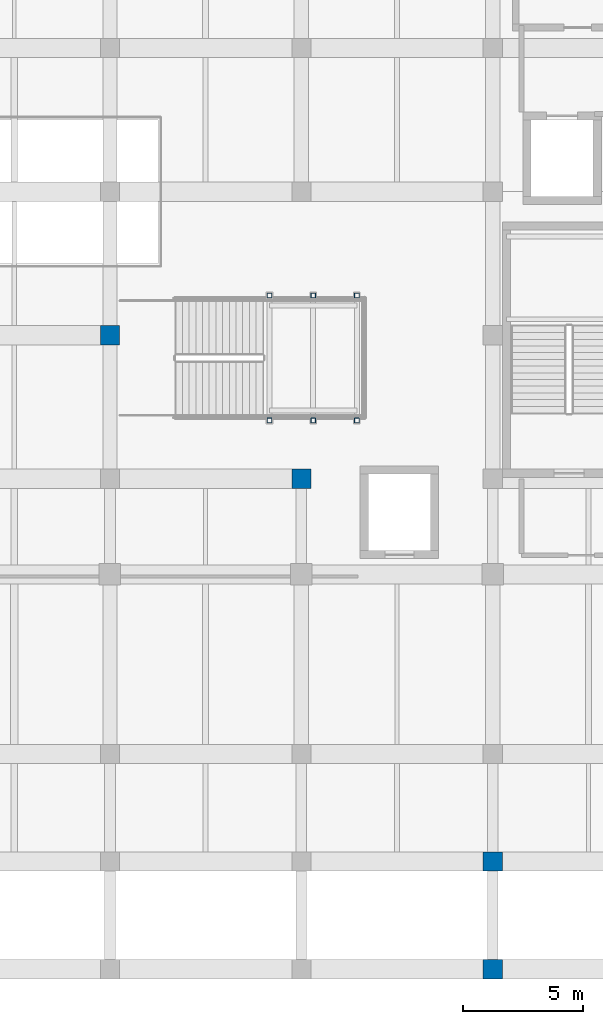
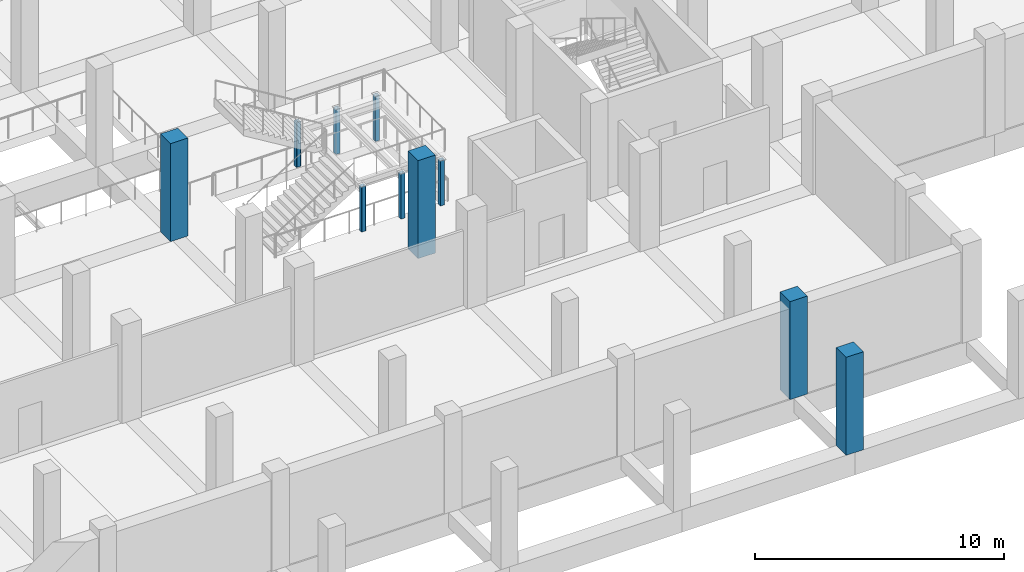
# One storey, part 7 of 36: 10 columns.
"""IFC4 building model written with IfcOpenShell, lengths in metres."""

from ifc_helpers import new_model, si_unit, direction, frame, origin, origin_2d, place, context, subcontext, project, spatial, rectangle, hollow_rectangle, extrude, material, material_profile, profile_set, type_object, element, save


model = new_model("IFC4")

# Units and contexts
model_context = context("Model", 3, precision=1e-05, world=origin(), true_north=direction((0.0, 1.0)))
body_context = subcontext(model_context, "Body", "Model", "MODEL_VIEW")
ifc_project = project(units=[si_unit("LENGTHUNIT", "METRE"), si_unit("AREAUNIT", "SQUARE_METRE"), si_unit("VOLUMEUNIT", "CUBIC_METRE"), si_unit("PLANEANGLEUNIT", "RADIAN"), si_unit("MASSUNIT", "GRAM", prefix="KILO")], contexts=[model_context])

# Site, building, storey
site_placement = place(None, origin())
site = spatial("IfcSite", under=ifc_project, at=site_placement, CompositionType="ELEMENT")
building_placement = place(site_placement, origin())
building = spatial("IfcBuilding", under=site, at=building_placement, Name="Verrall Gate Interchange", CompositionType="ELEMENT")
storey_placement = place(building_placement, frame((0.0, 0.0, -4.800048828125)))
storey = spatial("IfcBuildingStorey", under=building, at=storey_placement, Name="B1", CompositionType="ELEMENT", Elevation=-4.800048828125)

# Columns
ifc_material_1 = material(Name="Concrete CSA A23.1 40 MPa (Class N)", Category="concrete")
ifc_material_profile_1 = material_profile(ifc_material_1, rectangle(XDim=0.800048828125, YDim=0.800048828125, at=origin_2d()), Name="RC800x800")
ifc_profile_set_1 = profile_set([ifc_material_profile_1], Name="Concrete CSA A23.1 40 MPa (Class N)")
column_type_1 = type_object("IfcColumnType", Name="C-02 Column RC800x800", PredefinedType="COLUMN", material=ifc_profile_set_1)
for number, where, z_axis, x_axis, name in (
    (1, (84.0, 22.0, 0.0), (0.0, 0.0, 1.0), (1.0, 0.0, 0.0), "B1 Column COL-B1-1027 (C-02)"),
    (2, (92.0, 16.0, 0.0), (0.0, 0.0, 1.0), (1.0, 0.0, 0.0), "B1 Column COL-B1-1061 (C-02)"),
    (3, (100.0, -4.5, 0.0), (0.0, 0.0, 1.0), (1.0, 0.0, 0.0), "B1 Column COL-B1-1083 (C-02)"),
    (4, (100.0, 0.0, 0.0), (0.0, 0.0, 1.0), (1.0, 0.0, 0.0), "B1 Column COL-B1-1085 (C-02)"),
):
    element("IfcColumn", number, at=place(storey_placement, frame(where, z_axis=z_axis, x_axis=x_axis)), inside=storey, type_object=column_type_1, Name=name, PredefinedType="COLUMN", context=body_context, shape_type="SweptSolid", body=[
        extrude(rectangle(XDim=0.800048828125, YDim=0.800048828125, at=origin_2d()), origin(), (0.0, 0.0, 1.0), 4.800048828125),
    ])
ifc_material_2 = material(Name="Structural Steel CSA G40.21 350W", Category="steel")
ifc_material_profile_2 = material_profile(ifc_material_2, hollow_rectangle(XDim=0.202880859375, YDim=0.202880859375, WallThickness=0.009521484375, InnerFilletRadius=0.009521484375, OuterFilletRadius=0.01904296875, at=origin_2d()), Name="HSS203x203x9.5")
ifc_profile_set_2 = profile_set([ifc_material_profile_2], Name="Structural Steel CSA G40.21 350W")
column_type_2 = type_object("IfcColumnType", Name="C-14 Column HSS203x203x9.5", PredefinedType="COLUMN", material=ifc_profile_set_2)
for number, where, z_axis, x_axis, name in (
    (5, (90.669921875, 18.43994140625, 0.0), (0.0, 0.0, 1.0), (1.0, 0.0, 0.0), "B1 ST-11 Landing Cradle Column"),
    (6, (90.669921875, 23.659912109375, 0.0), (0.0, 0.0, 1.0), (1.0, 0.0, 0.0), "B1 ST-11 Landing Cradle Column"),
    (7, (92.4951171875, 18.43994140625, 0.0), (0.0, 0.0, 1.0), (1.0, 0.0, 0.0), "B1 ST-11 Landing Cradle Column"),
    (8, (92.4951171875, 23.659912109375, 0.0), (0.0, 0.0, 1.0), (1.0, 0.0, 0.0), "B1 ST-11 Landing Cradle Column"),
    (9, (94.320068359375, 18.43994140625, 0.0), (0.0, 0.0, 1.0), (1.0, 0.0, 0.0), "B1 ST-11 Landing Cradle Column"),
    (10, (94.320068359375, 23.659912109375, 0.0), (0.0, 0.0, 1.0), (1.0, 0.0, 0.0), "B1 ST-11 Landing Cradle Column"),
):
    element("IfcColumn", number, at=place(storey_placement, frame(where, z_axis=z_axis, x_axis=x_axis)), inside=storey, type_object=column_type_2, Name=name, PredefinedType="COLUMN", context=body_context, shape_type="SweptSolid", body=[
        extrude(hollow_rectangle(XDim=0.202880859375, YDim=0.202880859375, WallThickness=0.009521484375, InnerFilletRadius=0.009521484375, OuterFilletRadius=0.01904296875, at=origin_2d()), origin(), (0.0, 0.0, 1.0), 2.2099609375),
    ])

save(model, "model.ifc")
